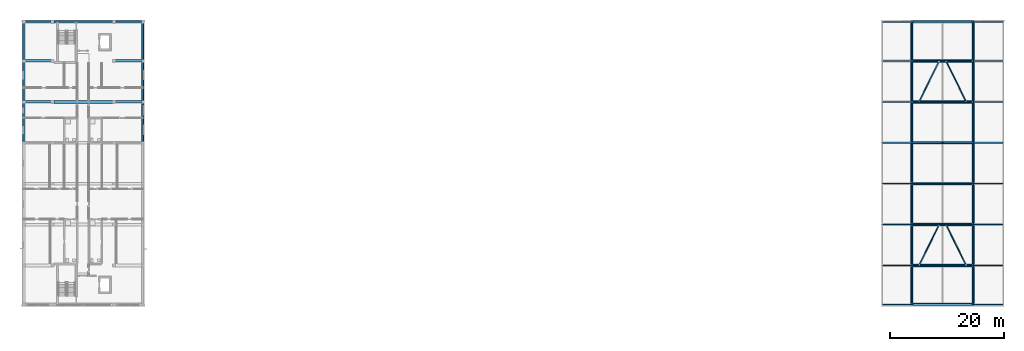
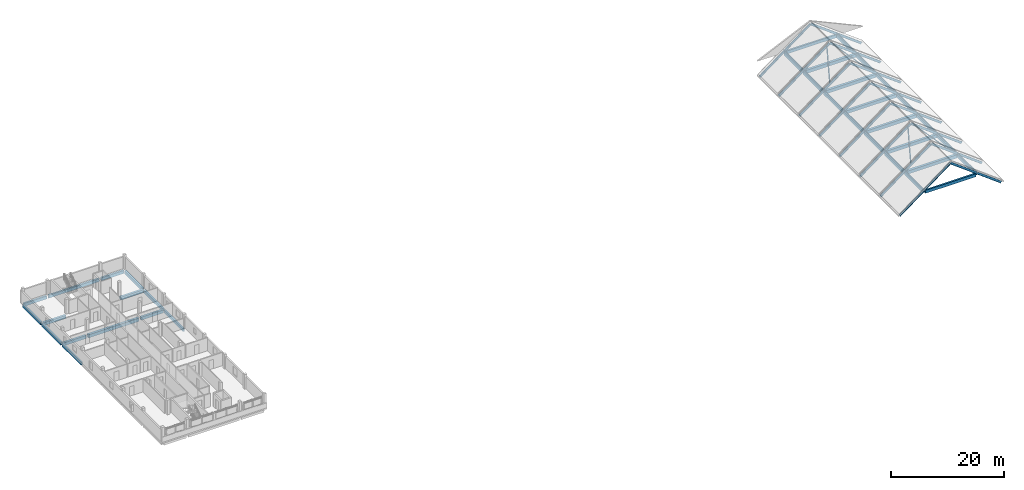
# One storey, part 3 of 16: 36 beams, 34 members.
"""IFC4 building model written with IfcOpenShell, lengths in metres."""

from ifc_helpers import new_model, si_unit, derived_unit, direction, frame, origin, origin_2d, place, context, subcontext, project, spatial, rectangle, hollow_rectangle, i_section, extrude, material, material_profile, profile_set, type_object, element, save


model = new_model("IFC4")

# Units and contexts
model_context = context("Model", 3, precision=1e-05, world=origin(), true_north=direction((0.0, 1.0)))
body_context = subcontext(model_context, "Body", "Model", "MODEL_VIEW")
ifc_project = project(units=[si_unit("LENGTHUNIT", "METRE"), si_unit("AREAUNIT", "SQUARE_METRE"), si_unit("VOLUMEUNIT", "CUBIC_METRE"), si_unit("PLANEANGLEUNIT", "RADIAN"), si_unit("MASSUNIT", "GRAM", prefix="KILO"), derived_unit("THERMALTRANSMITTANCEUNIT", [(si_unit("MASSUNIT", "GRAM", prefix="KILO"), 1), (si_unit("TIMEUNIT", "SECOND"), -3), (si_unit("THERMODYNAMICTEMPERATUREUNIT", "KELVIN"), -1)])], contexts=[model_context])

# Site, building, storey
site_placement = place(None, origin())
site = spatial("IfcSite", under=ifc_project, at=site_placement, CompositionType="ELEMENT")
building_placement = place(site_placement, origin())
building = spatial("IfcBuilding", under=site, at=building_placement, Name="Ochrekiln Boulevard Commons", CompositionType="ELEMENT")
storey_placement = place(building_placement, frame((0.0, 0.0, 43.574951171875)))
storey = spatial("IfcBuildingStorey", under=building, at=storey_placement, Name="L13", CompositionType="ELEMENT", Elevation=43.574951171875)

# Beams
ifc_material_1 = material(Name="Concrete C35/45", Category="concrete")
ifc_material_profile_1 = material_profile(ifc_material_1, rectangle(XDim=0.449951171875, YDim=0.64990234375, at=origin_2d()), Name="RC-BM-450x650")
ifc_profile_set_1 = profile_set([ifc_material_profile_1], Name="Concrete C35/45")
beam_type_1 = type_object("IfcBeamType", Name="BM-RC-450x650", PredefinedType="BEAM", material=ifc_profile_set_1)
beam_1_placement = place(storey_placement, frame((0.56005859375, 104.39990234375, -0.5849609375), z_axis=(1.0, 0.0, 0.0), x_axis=(0.0, 1.0, 0.0)))
element("IfcBeam", 1, at=beam_1_placement, inside=storey, type_object=beam_type_1, Name="Block A L13 Beam B-4565 X15", PredefinedType="BEAM", context=body_context, shape_type="SweptSolid", body=[
    extrude(rectangle(XDim=0.449951171875, YDim=0.64990234375, at=origin_2d()), origin(), (0.0, 0.0, 1.0), 4.6298828125),
])
beam_2_placement = place(storey_placement, frame((16.409912109375, 104.39990234375, -0.5849609375), z_axis=(1.0, 0.0, 0.0), x_axis=(0.0, 1.0, 0.0)))
element("IfcBeam", 2, at=beam_2_placement, inside=storey, type_object=beam_type_1, Name="Block A L13 Beam B-4565 X17", PredefinedType="BEAM", context=body_context, shape_type="SweptSolid", body=[
    extrude(rectangle(XDim=0.449951171875, YDim=0.64990234375, at=origin_2d()), origin(), (0.0, 0.0, 1.0), 4.630126953125),
])
beam_3_placement = place(storey_placement, frame((0.56005859375, 111.60009765625, -0.5849609375), z_axis=(1.0, 0.0, 0.0), x_axis=(0.0, 1.0, 0.0)))
element("IfcBeam", 3, at=beam_3_placement, inside=storey, type_object=beam_type_1, Name="Block A L13 Beam B-4565 X18", PredefinedType="BEAM", context=body_context, shape_type="SweptSolid", body=[
    extrude(rectangle(XDim=0.449951171875, YDim=0.64990234375, at=origin_2d()), origin(), (0.0, 0.0, 1.0), 4.6298828125),
])
beam_4_placement = place(storey_placement, frame((16.409912109375, 111.60009765625, -0.5849609375), z_axis=(1.0, 0.0, 0.0), x_axis=(0.0, 1.0, 0.0)))
element("IfcBeam", 4, at=beam_4_placement, inside=storey, type_object=beam_type_1, Name="Block A L13 Beam B-4565 X19", PredefinedType="BEAM", context=body_context, shape_type="SweptSolid", body=[
    extrude(rectangle(XDim=0.449951171875, YDim=0.64990234375, at=origin_2d()), origin(), (0.0, 0.0, 1.0), 4.630126953125),
])
ifc_material_2 = material(Name="Concrete C40/50", Category="concrete")
ifc_material_profile_2 = material_profile(ifc_material_2, rectangle(XDim=0.5, YDim=0.699951171875, at=origin_2d()), Name="RC-BM-500x700")
ifc_profile_set_2 = profile_set([ifc_material_profile_2], Name="Concrete C40/50")
beam_type_2 = type_object("IfcBeamType", Name="BM-RC-500x700", PredefinedType="BEAM", material=ifc_profile_set_2)
for number, where, z_axis, x_axis, name in (
    (5, (5.610107421875, 104.39990234375, -0.60986328125), (1.0, 0.0, 0.0), (0.0, 1.0, 0.0), "Block A L13 Beam B-5070 X16"),
    (6, (156.81005859375, 75.60009765625, -0.64990234375), (1.0, 0.0, 0.0), (0.0, 1.0, 0.0), "Block B L13 Beam B-5070 X2"),
    (7, (156.81005859375, 82.800048828125, -0.64990234375), (1.0, 0.0, 0.0), (0.0, 1.0, 0.0), "Block B L13 Beam B-5070 X3"),
    (8, (156.81005859375, 90.0, -0.64990234375), (1.0, 0.0, 0.0), (0.0, 1.0, 0.0), "Block B L13 Beam B-5070 X4"),
    (9, (156.81005859375, 97.199951171875, -0.64990234375), (1.0, 0.0, 0.0), (0.0, 1.0, 0.0), "Block B L13 Beam B-5070 X5"),
    (10, (156.81005859375, 104.39990234375, -0.64990234375), (1.0, 0.0, 0.0), (0.0, 1.0, 0.0), "Block B L13 Beam B-5070 X6"),
    (11, (156.81005859375, 111.60009765625, -0.64990234375), (1.0, 0.0, 0.0), (0.0, 1.0, 0.0), "Block B L13 Beam B-5070 X7"),
):
    element("IfcBeam", number, at=place(storey_placement, frame(where, z_axis=z_axis, x_axis=x_axis)), inside=storey, type_object=beam_type_2, Name=name, PredefinedType="BEAM", context=body_context, shape_type="SweptSolid", body=[
        extrude(rectangle(XDim=0.5, YDim=0.699951171875, at=origin_2d()), origin(), (0.0, 0.0, 1.0), 10.3798828125),
    ])

# Members
ifc_material_3 = material(Name="Steel A500 Grade C", Category="steel")
ifc_material_profile_3 = material_profile(ifc_material_3, hollow_rectangle(XDim=0.14990234375, YDim=0.14990234375, WallThickness=0.009521484375, at=origin_2d()), Name="HSS150X150X9.5")
ifc_profile_set_3 = profile_set([ifc_material_profile_3], Name="Steel A500 Grade C")
member_type_1 = type_object("IfcMemberType", Name="MEM-BRC-HSS150", PredefinedType="BRACE", material=ifc_profile_set_3)
for number, where, z_axis, x_axis, name in (
    (12, (157.89599609375, 75.68994140625, 0.70654296875), (0.419285811662, 0.851663197834, 0.3144347398), (-0.897168393426, 0.441688661659, 0.0), "Block B Roof Diagonal Brace 2W"),
    (13, (166.10400390625, 75.68994140625, 0.70654296875), (-0.419285811662, 0.851663197834, 0.3144347398), (-0.897168393426, -0.441688661659, 0.0), "Block B Roof Diagonal Brace 2E"),
    (14, (157.89599609375, 104.489990234375, 0.70654296875), (0.419285811662, 0.851663197834, 0.3144347398), (-0.897168393426, 0.441688661659, 0.0), "Block B Roof Diagonal Brace 6W"),
    (15, (166.10400390625, 104.489990234375, 0.70654296875), (-0.419285811662, 0.851663197834, 0.3144347398), (-0.897168393426, -0.441688661659, 0.0), "Block B Roof Diagonal Brace 6E"),
):
    element("IfcMember", number, at=place(storey_placement, frame(where, z_axis=z_axis, x_axis=x_axis)), inside=storey, type_object=member_type_1, Name=name, PredefinedType="BRACE", context=body_context, shape_type="SweptSolid", body=[
        extrude(hollow_rectangle(XDim=0.14990234375, YDim=0.14990234375, WallThickness=0.009521484375, at=origin_2d()), origin(), (0.0, 0.0, 1.0), 8.24267578125),
    ])
ifc_material_profile_4 = material_profile(ifc_material_3, hollow_rectangle(XDim=0.10009765625, YDim=0.14990234375, WallThickness=0.00634765625, at=origin_2d()), Name="HSS150X100X6.4")
ifc_profile_set_4 = profile_set([ifc_material_profile_4], Name="Steel A500 Grade C")
member_type_2 = type_object("IfcMemberType", Name="MEM-PUR-HSS150X100", PredefinedType="PURLIN", material=ifc_profile_set_4)
for number, where, z_axis, x_axis, name in (
    (16, (156.60009765625, 68.5, -0.07373046875), (0.0, 1.0, 0.0), (-1.0, 0.0, 0.0), "Block B Roof Purlin 1W.1"),
    (17, (167.39990234375, 68.5, -0.07373046875), (0.0, 1.0, 0.0), (-1.0, 0.0, 0.0), "Block B Roof Purlin 1E.1"),
    (18, (156.60009765625, 75.699951171875, -0.07373046875), (0.0, 1.0, 0.0), (-1.0, 0.0, 0.0), "Block B Roof Purlin 2W.1"),
    (19, (167.39990234375, 75.699951171875, -0.07373046875), (0.0, 1.0, 0.0), (-1.0, 0.0, 0.0), "Block B Roof Purlin 2E.1"),
    (20, (156.60009765625, 82.89990234375, -0.07373046875), (0.0, 1.0, 0.0), (-1.0, 0.0, 0.0), "Block B Roof Purlin 3W.1"),
    (21, (167.39990234375, 82.89990234375, -0.07373046875), (0.0, 1.0, 0.0), (-1.0, 0.0, 0.0), "Block B Roof Purlin 3E.1"),
    (22, (156.60009765625, 90.10009765625, -0.07373046875), (0.0, 1.0, 0.0), (-1.0, 0.0, 0.0), "Block B Roof Purlin 4W.1"),
    (23, (167.39990234375, 90.10009765625, -0.07373046875), (0.0, 1.0, 0.0), (-1.0, 0.0, 0.0), "Block B Roof Purlin 4E.1"),
    (24, (156.60009765625, 97.300048828125, -0.07373046875), (0.0, 1.0, 0.0), (-1.0, 0.0, 0.0), "Block B Roof Purlin 5W.1"),
    (25, (167.39990234375, 97.300048828125, -0.07373046875), (0.0, 1.0, 0.0), (-1.0, 0.0, 0.0), "Block B Roof Purlin 5E.1"),
    (26, (156.60009765625, 104.5, -0.07373046875), (0.0, 1.0, 0.0), (-1.0, 0.0, 0.0), "Block B Roof Purlin 6W.1"),
    (27, (167.39990234375, 104.5, -0.07373046875), (0.0, 1.0, 0.0), (-1.0, 0.0, 0.0), "Block B Roof Purlin 6E.1"),
    (28, (156.60009765625, 111.699951171875, -0.07373046875), (0.0, 1.0, 0.0), (-1.0, 0.0, 0.0), "Block B Roof Purlin 7W.1"),
    (29, (167.39990234375, 111.699951171875, -0.07373046875), (0.0, 1.0, 0.0), (-1.0, 0.0, 0.0), "Block B Roof Purlin 7E.1"),
):
    element("IfcMember", number, at=place(storey_placement, frame(where, z_axis=z_axis, x_axis=x_axis)), inside=storey, type_object=member_type_2, Name=name, PredefinedType="PURLIN", context=body_context, shape_type="SweptSolid", body=[
        extrude(hollow_rectangle(XDim=0.10009765625, YDim=0.14990234375, WallThickness=0.00634765625, at=origin_2d()), origin(), (0.0, 0.0, 1.0), 7.0),
    ])
ifc_material_4 = material(Name="Steel A992 Grade 50", Category="steel")
ifc_material_profile_5 = material_profile(ifc_material_4, i_section(OverallWidth=0.19091796875, OverallDepth=0.45703125, WebThickness=0.009033203125, FlangeThickness=0.014404296875, at=origin_2d()), Name="W18X50")
ifc_profile_set_5 = profile_set([ifc_material_profile_5], Name="Steel A992 Grade 50")
member_type_3 = type_object("IfcMemberType", Name="MEM-RAF-W18X50", PredefinedType="RAFTER", material=ifc_profile_set_5)
for number, where, z_axis, x_axis, name in (
    (30, (151.550048828125, 68.75, -4.052978515625), (0.800002242834, 0.0, 0.599997009543), (0.0, 1.0, 0.0), "Block B Steep Gable Rafter 1W"),
    (31, (172.449951171875, 68.75, -4.052978515625), (-0.800002242834, 0.0, 0.599997009543), (0.0, -1.0, 0.0), "Block B Steep Gable Rafter 1E"),
    (32, (151.550048828125, 75.60009765625, -4.052978515625), (0.800002242834, 0.0, 0.599997009543), (0.0, 1.0, 0.0), "Block B Steep Gable Rafter 2W"),
    (33, (172.449951171875, 75.60009765625, -4.052978515625), (-0.800002242834, 0.0, 0.599997009543), (0.0, -1.0, 0.0), "Block B Steep Gable Rafter 2E"),
    (34, (151.550048828125, 82.800048828125, -4.052978515625), (0.800002242834, 0.0, 0.599997009543), (0.0, 1.0, 0.0), "Block B Steep Gable Rafter 3W"),
    (35, (172.449951171875, 82.800048828125, -4.052978515625), (-0.800002242834, 0.0, 0.599997009543), (0.0, -1.0, 0.0), "Block B Steep Gable Rafter 3E"),
    (36, (151.550048828125, 90.0, -4.052978515625), (0.800002242834, 0.0, 0.599997009543), (0.0, 1.0, 0.0), "Block B Steep Gable Rafter 4W"),
    (37, (172.449951171875, 90.0, -4.052978515625), (-0.800002242834, 0.0, 0.599997009543), (0.0, -1.0, 0.0), "Block B Steep Gable Rafter 4E"),
    (38, (151.550048828125, 97.199951171875, -4.052978515625), (0.800002242834, 0.0, 0.599997009543), (0.0, 1.0, 0.0), "Block B Steep Gable Rafter 5W"),
    (39, (172.449951171875, 97.199951171875, -4.052978515625), (-0.800002242834, 0.0, 0.599997009543), (0.0, -1.0, 0.0), "Block B Steep Gable Rafter 5E"),
    (40, (151.550048828125, 104.39990234375, -4.052978515625), (0.800002242834, 0.0, 0.599997009543), (0.0, 1.0, 0.0), "Block B Steep Gable Rafter 6W"),
    (41, (172.449951171875, 104.39990234375, -4.052978515625), (-0.800002242834, 0.0, 0.599997009543), (0.0, -1.0, 0.0), "Block B Steep Gable Rafter 6E"),
    (42, (151.550048828125, 111.60009765625, -4.052978515625), (0.800002242834, 0.0, 0.599997009543), (0.0, 1.0, 0.0), "Block B Steep Gable Rafter 7W"),
    (43, (172.449951171875, 111.60009765625, -4.052978515625), (-0.800002242834, 0.0, 0.599997009543), (0.0, -1.0, 0.0), "Block B Steep Gable Rafter 7E"),
    (44, (151.550048828125, 118.449951171875, -4.052978515625), (0.800002242834, 0.0, 0.599997009543), (0.0, 1.0, 0.0), "Block B Steep Gable Rafter 8W"),
    (45, (172.449951171875, 118.449951171875, -4.052978515625), (-0.800002242834, 0.0, 0.599997009543), (0.0, -1.0, 0.0), "Block B Steep Gable Rafter 8E"),
):
    element("IfcMember", number, at=place(storey_placement, frame(where, z_axis=z_axis, x_axis=x_axis)), inside=storey, type_object=member_type_3, Name=name, PredefinedType="RAFTER", context=body_context, shape_type="SweptSolid", body=[
        extrude(i_section(OverallWidth=0.19091796875, OverallDepth=0.45703125, WebThickness=0.009033203125, FlangeThickness=0.014404296875, at=origin_2d()), origin(), (0.0, 0.0, 1.0), 13.0625),
    ])

# Beams
ifc_material_profile_6 = material_profile(ifc_material_2, rectangle(XDim=0.35009765625, YDim=0.64990234375, at=origin_2d()), Name="RC-SPN-350x650")
ifc_profile_set_6 = profile_set([ifc_material_profile_6], Name="Concrete C40/50")
beam_type_3 = type_object("IfcBeamType", Name="SPN-RC-350x650", PredefinedType="SPANDREL", material=ifc_profile_set_6)
beam_5_placement = place(storey_placement, frame((0.56005859375, 118.449951171875, -0.5849609375), z_axis=(1.0, 0.0, 0.0), x_axis=(0.0, 1.0, 0.0)))
element("IfcBeam", 46, at=beam_5_placement, inside=storey, type_object=beam_type_3, Name="Block A L13 Beam SP-3565 X20", PredefinedType="SPANDREL", context=body_context, shape_type="SweptSolid", body=[
    extrude(rectangle(XDim=0.35009765625, YDim=0.64990234375, at=origin_2d()), origin(), (0.0, 0.0, 1.0), 4.6298828125),
])
beam_6_placement = place(storey_placement, frame((5.610107421875, 118.449951171875, -0.5849609375), z_axis=(1.0, 0.0, 0.0), x_axis=(0.0, 1.0, 0.0)))
element("IfcBeam", 47, at=beam_6_placement, inside=storey, type_object=beam_type_3, Name="Block A L13 Beam SP-3565 X21", PredefinedType="SPANDREL", context=body_context, shape_type="SweptSolid", body=[
    extrude(rectangle(XDim=0.35009765625, YDim=0.64990234375, at=origin_2d()), origin(), (0.0, 0.0, 1.0), 10.3798828125),
])
beam_7_placement = place(storey_placement, frame((16.409912109375, 118.449951171875, -0.5849609375), z_axis=(1.0, 0.0, 0.0), x_axis=(0.0, 1.0, 0.0)))
element("IfcBeam", 48, at=beam_7_placement, inside=storey, type_object=beam_type_3, Name="Block A L13 Beam SP-3565 X22", PredefinedType="SPANDREL", context=body_context, shape_type="SweptSolid", body=[
    extrude(rectangle(XDim=0.35009765625, YDim=0.64990234375, at=origin_2d()), origin(), (0.0, 0.0, 1.0), 4.630126953125),
])
beam_8_placement = place(storey_placement, frame((0.35009765625, 97.409912109375, -0.5849609375), z_axis=(0.0, 1.0, 0.0), x_axis=(-1.0, 0.0, 0.0)))
element("IfcBeam", 49, at=beam_8_placement, inside=storey, type_object=beam_type_3, Name="Block A L13 Beam SP-3565 Y27", PredefinedType="SPANDREL", context=body_context, shape_type="SweptSolid", body=[
    extrude(rectangle(XDim=0.35009765625, YDim=0.64990234375, at=origin_2d()), origin(), (0.0, 0.0, 1.0), 6.780029296875),
])
beam_9_placement = place(storey_placement, frame((0.35009765625, 104.610107421875, -0.5849609375), z_axis=(0.0, 1.0, 0.0), x_axis=(-1.0, 0.0, 0.0)))
element("IfcBeam", 50, at=beam_9_placement, inside=storey, type_object=beam_type_3, Name="Block A L13 Beam SP-3565 Y28", PredefinedType="SPANDREL", context=body_context, shape_type="SweptSolid", body=[
    extrude(rectangle(XDim=0.35009765625, YDim=0.64990234375, at=origin_2d()), origin(), (0.0, 0.0, 1.0), 6.77978515625),
])
beam_10_placement = place(storey_placement, frame((0.35009765625, 111.81005859375, -0.5849609375), z_axis=(0.0, 1.0, 0.0), x_axis=(-1.0, 0.0, 0.0)))
element("IfcBeam", 51, at=beam_10_placement, inside=storey, type_object=beam_type_3, Name="Block A L13 Beam SP-3565 Y29", PredefinedType="SPANDREL", context=body_context, shape_type="SweptSolid", body=[
    extrude(rectangle(XDim=0.35009765625, YDim=0.64990234375, at=origin_2d()), origin(), (0.0, 0.0, 1.0), 6.429931640625),
])
beam_11_placement = place(storey_placement, frame((21.25, 97.409912109375, -0.5849609375), z_axis=(0.0, 1.0, 0.0), x_axis=(-1.0, 0.0, 0.0)))
element("IfcBeam", 52, at=beam_11_placement, inside=storey, type_object=beam_type_3, Name="Block A L13 Beam SP-3565 Y34", PredefinedType="SPANDREL", context=body_context, shape_type="SweptSolid", body=[
    extrude(rectangle(XDim=0.35009765625, YDim=0.64990234375, at=origin_2d()), origin(), (0.0, 0.0, 1.0), 6.780029296875),
])
beam_12_placement = place(storey_placement, frame((21.25, 104.610107421875, -0.5849609375), z_axis=(0.0, 1.0, 0.0), x_axis=(-1.0, 0.0, 0.0)))
element("IfcBeam", 53, at=beam_12_placement, inside=storey, type_object=beam_type_3, Name="Block A L13 Beam SP-3565 Y35", PredefinedType="SPANDREL", context=body_context, shape_type="SweptSolid", body=[
    extrude(rectangle(XDim=0.35009765625, YDim=0.64990234375, at=origin_2d()), origin(), (0.0, 0.0, 1.0), 6.77978515625),
])
beam_13_placement = place(storey_placement, frame((21.25, 111.81005859375, -0.5849609375), z_axis=(0.0, 1.0, 0.0), x_axis=(-1.0, 0.0, 0.0)))
element("IfcBeam", 54, at=beam_13_placement, inside=storey, type_object=beam_type_3, Name="Block A L13 Beam SP-3565 Y36", PredefinedType="SPANDREL", context=body_context, shape_type="SweptSolid", body=[
    extrude(rectangle(XDim=0.35009765625, YDim=0.64990234375, at=origin_2d()), origin(), (0.0, 0.0, 1.0), 6.429931640625),
])
for number, where, z_axis, x_axis, name in (
    (55, (156.81005859375, 68.75, -0.625), (1.0, 0.0, 0.0), (0.0, 1.0, 0.0), "Block B L13 Beam SP-3565 X1"),
    (56, (156.81005859375, 118.449951171875, -0.625), (1.0, 0.0, 0.0), (0.0, 1.0, 0.0), "Block B L13 Beam SP-3565 X8"),
):
    element("IfcBeam", number, at=place(storey_placement, frame(where, z_axis=z_axis, x_axis=x_axis)), inside=storey, type_object=beam_type_3, Name=name, PredefinedType="SPANDREL", context=body_context, shape_type="SweptSolid", body=[
        extrude(rectangle(XDim=0.35009765625, YDim=0.64990234375, at=origin_2d()), origin(), (0.0, 0.0, 1.0), 10.3798828125),
    ])
beam_14_placement = place(storey_placement, frame((156.60009765625, 68.9599609375, -0.625), z_axis=(0.0, 1.0, 0.0), x_axis=(-1.0, 0.0, 0.0)))
element("IfcBeam", 57, at=beam_14_placement, inside=storey, type_object=beam_type_3, Name="Block B L13 Beam SP-3565 Y9", PredefinedType="SPANDREL", context=body_context, shape_type="SweptSolid", body=[
    extrude(rectangle(XDim=0.35009765625, YDim=0.64990234375, at=origin_2d()), origin(), (0.0, 0.0, 1.0), 6.429931640625),
])
for number, where, z_axis, x_axis, name in (
    (58, (156.60009765625, 75.81005859375, -0.625), (0.0, 1.0, 0.0), (-1.0, 0.0, 0.0), "Block B L13 Beam SP-3565 Y10"),
    (59, (156.60009765625, 83.010009765625, -0.625), (0.0, 1.0, 0.0), (-1.0, 0.0, 0.0), "Block B L13 Beam SP-3565 Y11"),
    (60, (156.60009765625, 90.2099609375, -0.625), (0.0, 1.0, 0.0), (-1.0, 0.0, 0.0), "Block B L13 Beam SP-3565 Y12"),
    (61, (156.60009765625, 97.409912109375, -0.625), (0.0, 1.0, 0.0), (-1.0, 0.0, 0.0), "Block B L13 Beam SP-3565 Y13"),
):
    element("IfcBeam", number, at=place(storey_placement, frame(where, z_axis=z_axis, x_axis=x_axis)), inside=storey, type_object=beam_type_3, Name=name, PredefinedType="SPANDREL", context=body_context, shape_type="SweptSolid", body=[
        extrude(rectangle(XDim=0.35009765625, YDim=0.64990234375, at=origin_2d()), origin(), (0.0, 0.0, 1.0), 6.780029296875),
    ])
beam_15_placement = place(storey_placement, frame((156.60009765625, 104.610107421875, -0.625), z_axis=(0.0, 1.0, 0.0), x_axis=(-1.0, 0.0, 0.0)))
element("IfcBeam", 62, at=beam_15_placement, inside=storey, type_object=beam_type_3, Name="Block B L13 Beam SP-3565 Y14", PredefinedType="SPANDREL", context=body_context, shape_type="SweptSolid", body=[
    extrude(rectangle(XDim=0.35009765625, YDim=0.64990234375, at=origin_2d()), origin(), (0.0, 0.0, 1.0), 6.77978515625),
])
for number, where, z_axis, x_axis, name in (
    (63, (156.60009765625, 111.81005859375, -0.625), (0.0, 1.0, 0.0), (-1.0, 0.0, 0.0), "Block B L13 Beam SP-3565 Y15"),
    (64, (167.39990234375, 68.9599609375, -0.625), (0.0, 1.0, 0.0), (-1.0, 0.0, 0.0), "Block B L13 Beam SP-3565 Y16"),
):
    element("IfcBeam", number, at=place(storey_placement, frame(where, z_axis=z_axis, x_axis=x_axis)), inside=storey, type_object=beam_type_3, Name=name, PredefinedType="SPANDREL", context=body_context, shape_type="SweptSolid", body=[
        extrude(rectangle(XDim=0.35009765625, YDim=0.64990234375, at=origin_2d()), origin(), (0.0, 0.0, 1.0), 6.429931640625),
    ])
for number, where, z_axis, x_axis, name in (
    (65, (167.39990234375, 75.81005859375, -0.625), (0.0, 1.0, 0.0), (-1.0, 0.0, 0.0), "Block B L13 Beam SP-3565 Y17"),
    (66, (167.39990234375, 83.010009765625, -0.625), (0.0, 1.0, 0.0), (-1.0, 0.0, 0.0), "Block B L13 Beam SP-3565 Y18"),
    (67, (167.39990234375, 90.2099609375, -0.625), (0.0, 1.0, 0.0), (-1.0, 0.0, 0.0), "Block B L13 Beam SP-3565 Y19"),
    (68, (167.39990234375, 97.409912109375, -0.625), (0.0, 1.0, 0.0), (-1.0, 0.0, 0.0), "Block B L13 Beam SP-3565 Y20"),
):
    element("IfcBeam", number, at=place(storey_placement, frame(where, z_axis=z_axis, x_axis=x_axis)), inside=storey, type_object=beam_type_3, Name=name, PredefinedType="SPANDREL", context=body_context, shape_type="SweptSolid", body=[
        extrude(rectangle(XDim=0.35009765625, YDim=0.64990234375, at=origin_2d()), origin(), (0.0, 0.0, 1.0), 6.780029296875),
    ])
beam_16_placement = place(storey_placement, frame((167.39990234375, 104.610107421875, -0.625), z_axis=(0.0, 1.0, 0.0), x_axis=(-1.0, 0.0, 0.0)))
element("IfcBeam", 69, at=beam_16_placement, inside=storey, type_object=beam_type_3, Name="Block B L13 Beam SP-3565 Y21", PredefinedType="SPANDREL", context=body_context, shape_type="SweptSolid", body=[
    extrude(rectangle(XDim=0.35009765625, YDim=0.64990234375, at=origin_2d()), origin(), (0.0, 0.0, 1.0), 6.77978515625),
])
beam_17_placement = place(storey_placement, frame((167.39990234375, 111.81005859375, -0.625), z_axis=(0.0, 1.0, 0.0), x_axis=(-1.0, 0.0, 0.0)))
element("IfcBeam", 70, at=beam_17_placement, inside=storey, type_object=beam_type_3, Name="Block B L13 Beam SP-3565 Y22", PredefinedType="SPANDREL", context=body_context, shape_type="SweptSolid", body=[
    extrude(rectangle(XDim=0.35009765625, YDim=0.64990234375, at=origin_2d()), origin(), (0.0, 0.0, 1.0), 6.429931640625),
])

save(model, "model.ifc")
